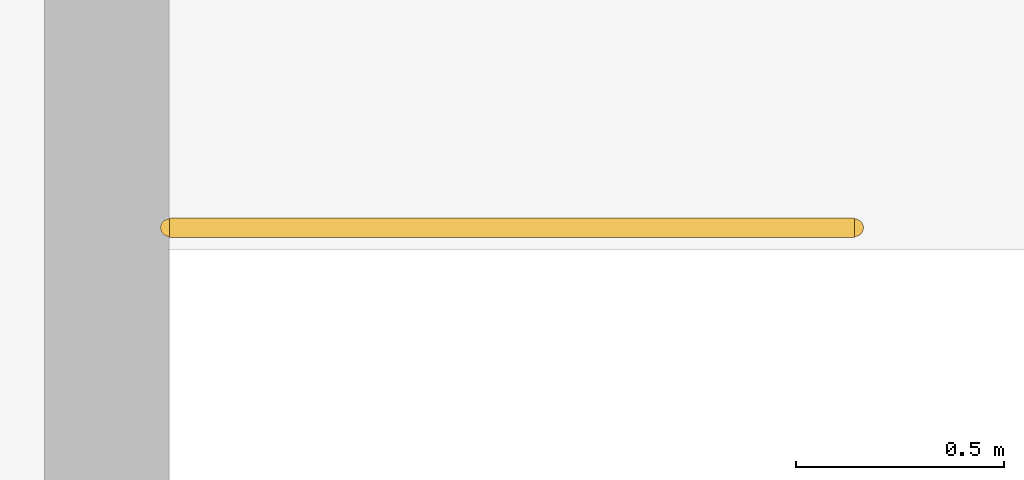
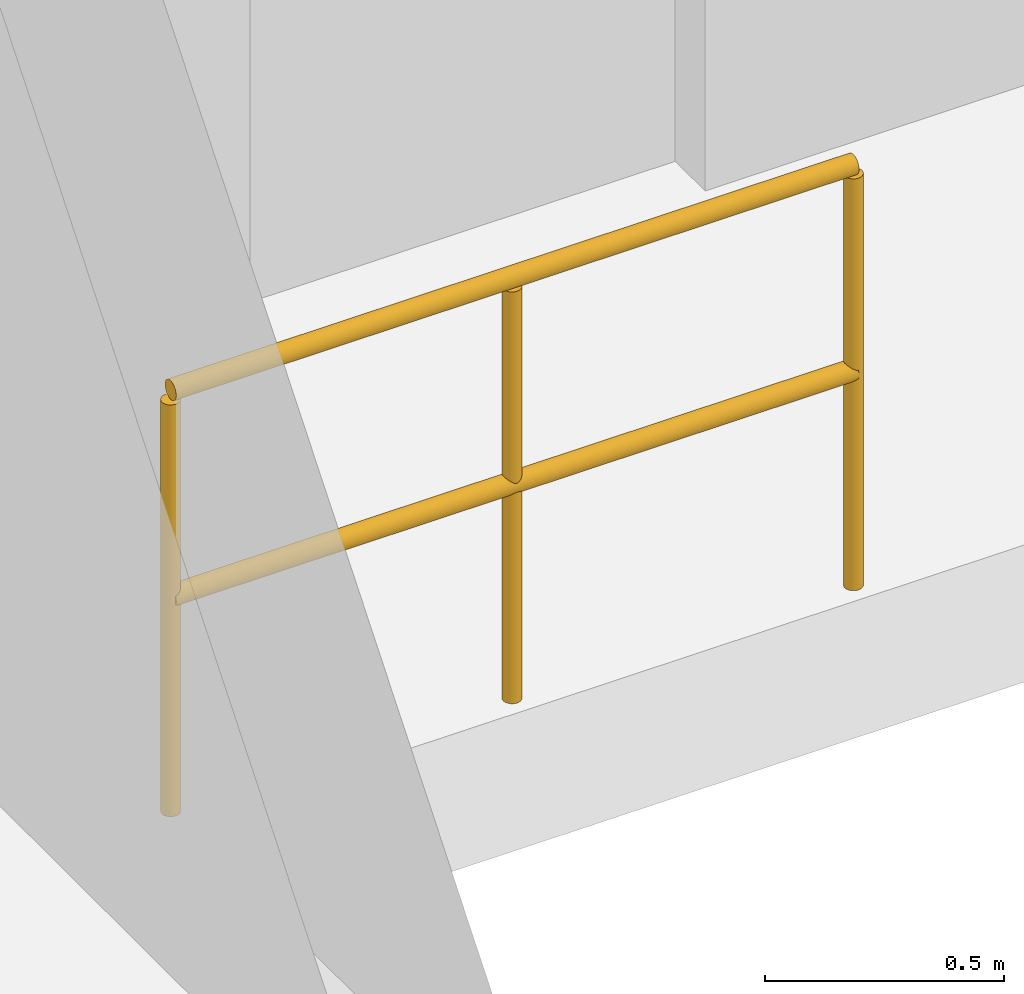
# One storey, part 7 of 7: 1 railing.
"""IFC4 building model written with IfcOpenShell, lengths in metres."""

from ifc_helpers import new_model, si_unit, direction, frame, origin, origin_2d, place, context, subcontext, project, spatial, circle, extrude, material, layer, layer_set, type_object, element, save


model = new_model("IFC4")

# Units and contexts
model_context = context("Model", 3, precision=1e-05, world=origin(), true_north=direction((0.0, 1.0)))
body_context = subcontext(model_context, "Body", "Model", "MODEL_VIEW")
ifc_project = project(units=[si_unit("LENGTHUNIT", "METRE"), si_unit("AREAUNIT", "SQUARE_METRE"), si_unit("VOLUMEUNIT", "CUBIC_METRE"), si_unit("PLANEANGLEUNIT", "RADIAN"), si_unit("MASSUNIT", "GRAM", prefix="KILO")], contexts=[model_context])

# Site, building, storey
site_placement = place(None, origin())
site = spatial("IfcSite", under=ifc_project, at=site_placement, CompositionType="ELEMENT")
building_placement = place(site_placement, origin())
building = spatial("IfcBuilding", under=site, at=building_placement, Name="Krantzveldt Concourse Tower", CompositionType="ELEMENT")
storey_placement = place(building_placement, frame((0.0, 0.0, 20.0)))
storey = spatial("IfcBuildingStorey", under=building, at=storey_placement, Name="L04", CompositionType="ELEMENT", Elevation=20.0)

# Railing
ifc_material = material(Name="Stainless steel 316L", Category="steel")
ifc_layer = layer(ifc_material, 0.06005859375, Name="Stainless steel 316L", Category="steel")
ifc_layer_set = layer_set([ifc_layer], Name="Stainless steel 316L (RL-GUARD-1120)")
railing_type = type_object("IfcRailingType", Name="RL-GUARD-1120", PredefinedType="GUARDRAIL", material=ifc_layer_set)
railing_placement = place(storey_placement, frame((56.60009765625, 48.199951171875, 0.0)))
element("IfcRailing", 1, at=railing_placement, inside=storey, type_object=railing_type, Name="L04 ST-4 top well guard 1", PredefinedType="GUARDRAIL", context=body_context, shape_type="SweptSolid", body=[
    extrude(circle(Radius=0.02392578125, at=origin_2d()), frame((0.0, 0.0, 1.076171875), z_axis=(1.0, 0.0, 0.0), x_axis=(0.0, 1.0, 0.0)), (0.0, 0.0, 1.0), 1.64990234375),
    extrude(circle(Radius=0.02392578125, at=origin_2d()), frame((0.0, 0.0, 0.550048828125), z_axis=(1.0, 0.0, 0.0), x_axis=(0.0, 1.0, 0.0)), (0.0, 0.0, 1.0), 1.64990234375),
    extrude(circle(Radius=0.02099609375, at=origin_2d()), origin(), (0.0, 0.0, 1.0), 1.052001953125),
    extrude(circle(Radius=0.02099609375, at=origin_2d()), frame((0.824951171875, 0.0, 0.0)), (0.0, 0.0, 1.0), 1.052001953125),
    extrude(circle(Radius=0.02099609375, at=origin_2d()), frame((1.64990234375, 0.0, 0.0)), (0.0, 0.0, 1.0), 1.052001953125),
])

save(model, "model.ifc")
